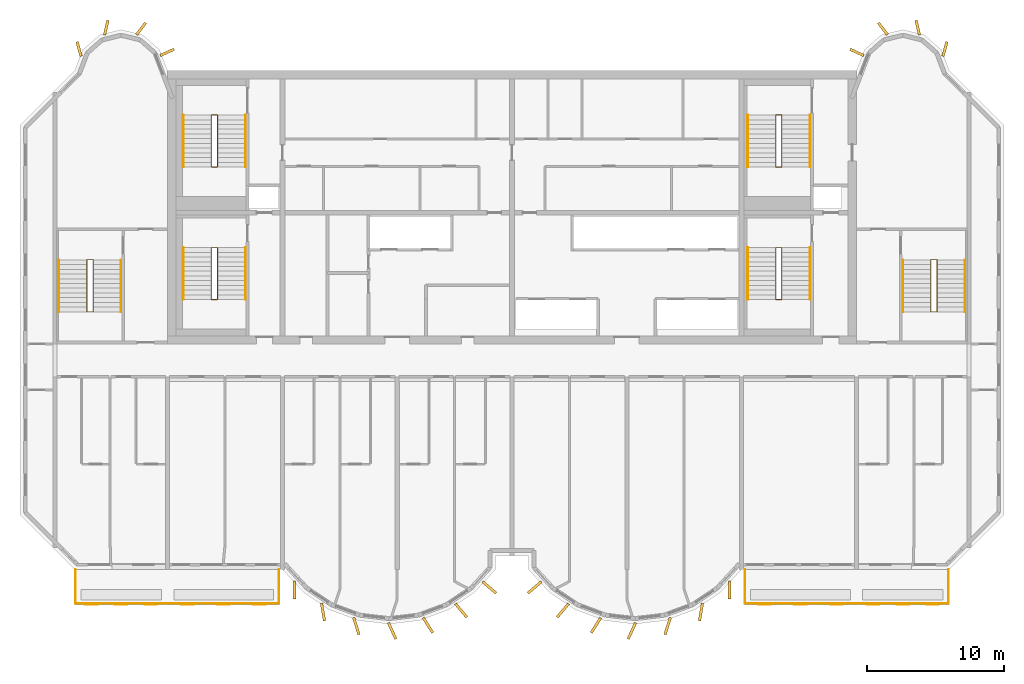
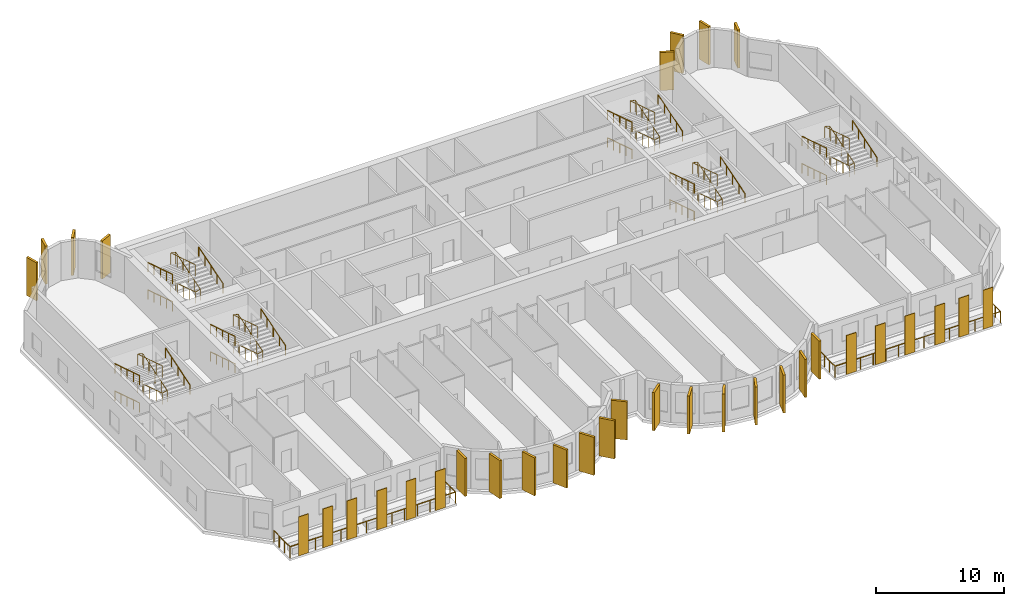
# One storey, part 10 of 11: 34 coverings, 26 railings.
"""IFC4 building model written with IfcOpenShell, lengths in metres."""

from ifc_helpers import new_model, si_unit, direction, frame, origin, origin_2d, place, context, subcontext, project, spatial, rectangle, circle, extrude, source, transform, mapped, material, layer, layer_set, material_profile, profile_set, type_object, element, save


model = new_model("IFC4")

# Units and contexts
model_context = context("Model", 3, precision=1e-05, world=origin(), true_north=direction((0.0, 1.0)))
body_context = subcontext(model_context, "Body", "Model", "MODEL_VIEW")
ifc_project = project(units=[si_unit("LENGTHUNIT", "METRE"), si_unit("AREAUNIT", "SQUARE_METRE"), si_unit("VOLUMEUNIT", "CUBIC_METRE"), si_unit("PLANEANGLEUNIT", "RADIAN"), si_unit("MASSUNIT", "GRAM", prefix="KILO")], contexts=[model_context])

# Site, building, storey
site_placement = place(None, origin())
site = spatial("IfcSite", under=ifc_project, at=site_placement, CompositionType="ELEMENT")
building_placement = place(site_placement, origin())
building = spatial("IfcBuilding", under=site, at=building_placement, Name="Vanashikhar Sky Hotel", CompositionType="ELEMENT")
storey_placement = place(building_placement, frame((0.0, 0.0, 241.300048828125)))
storey = spatial("IfcBuildingStorey", under=building, at=storey_placement, Name="L58", CompositionType="ELEMENT", Elevation=241.300048828125)

# Railings
ifc_material_1 = material(Name="Stainless steel 316", Category="steel")
railing_type_1 = type_object("IfcRailingType", Name="Balcony guard 1100", PredefinedType="GUARDRAIL", material=ifc_material_1)
shared_shape_1 = source(origin(), body_context, "Body", "SweptSolid", [
    extrude(circle(Radius=0.02392578125, at=origin_2d()), frame((0.0, 0.0, 1.076171875), z_axis=(0.0, -1.0, 0.0), x_axis=(1.0, 0.0, 0.0)), (0.0, 0.0, 1.0), 2.5),
    extrude(circle(Radius=0.02392578125, at=origin_2d()), frame((0.0, -2.5, 1.076171875), z_axis=(1.0, 0.0, 0.0), x_axis=(0.0, 1.0, 0.0)), (0.0, 0.0, 1.0), 14.880126953125),
    extrude(circle(Radius=0.02392578125, at=origin_2d()), frame((14.880126953125, -2.5, 1.076171875), z_axis=(0.0, 1.0, 0.0), x_axis=(-1.0, 0.0, 0.0)), (0.0, 0.0, 1.0), 2.5),
    extrude(circle(Radius=0.02099609375, at=origin_2d()), origin(), (0.0, 0.0, 1.0), 1.052001953125),
    extrude(circle(Radius=0.02099609375, at=origin_2d()), frame((0.0, -0.833251953125, 0.0)), (0.0, 0.0, 1.0), 1.052001953125),
    extrude(circle(Radius=0.02099609375, at=origin_2d()), frame((0.0, -1.666748046875, 0.0)), (0.0, 0.0, 1.0), 1.052001953125),
    extrude(circle(Radius=0.02099609375, at=origin_2d()), frame((0.0, -2.5, 0.0)), (0.0, 0.0, 1.0), 1.052001953125),
    extrude(circle(Radius=0.02099609375, at=origin_2d()), frame((1.14453125, -2.5, 0.0)), (0.0, 0.0, 1.0), 1.052001953125),
    extrude(circle(Radius=0.02099609375, at=origin_2d()), frame((2.289306640625, -2.5, 0.0)), (0.0, 0.0, 1.0), 1.052001953125),
    extrude(circle(Radius=0.02099609375, at=origin_2d()), frame((3.433837890625, -2.5, 0.0)), (0.0, 0.0, 1.0), 1.052001953125),
    extrude(circle(Radius=0.02099609375, at=origin_2d()), frame((4.57861328125, -2.5, 0.0)), (0.0, 0.0, 1.0), 1.052001953125),
    extrude(circle(Radius=0.02099609375, at=origin_2d()), frame((5.72314453125, -2.5, 0.0)), (0.0, 0.0, 1.0), 1.052001953125),
    extrude(circle(Radius=0.02099609375, at=origin_2d()), frame((6.86767578125, -2.5, 0.0)), (0.0, 0.0, 1.0), 1.052001953125),
    extrude(circle(Radius=0.02099609375, at=origin_2d()), frame((8.012451171875, -2.5, 0.0)), (0.0, 0.0, 1.0), 1.052001953125),
    extrude(circle(Radius=0.02099609375, at=origin_2d()), frame((9.156982421875, -2.5, 0.0)), (0.0, 0.0, 1.0), 1.052001953125),
    extrude(circle(Radius=0.02099609375, at=origin_2d()), frame((10.301513671875, -2.5, 0.0)), (0.0, 0.0, 1.0), 1.052001953125),
    extrude(circle(Radius=0.02099609375, at=origin_2d()), frame((11.4462890625, -2.5, 0.0)), (0.0, 0.0, 1.0), 1.052001953125),
    extrude(circle(Radius=0.02099609375, at=origin_2d()), frame((12.5908203125, -2.5, 0.0)), (0.0, 0.0, 1.0), 1.052001953125),
    extrude(circle(Radius=0.02099609375, at=origin_2d()), frame((13.735595703125, -2.5, 0.0)), (0.0, 0.0, 1.0), 1.052001953125),
    extrude(circle(Radius=0.02099609375, at=origin_2d()), frame((14.880126953125, -2.5, 0.0)), (0.0, 0.0, 1.0), 1.052001953125),
    extrude(circle(Radius=0.02099609375, at=origin_2d()), frame((14.880126953125, -1.666748046875, 0.0)), (0.0, 0.0, 1.0), 1.052001953125),
    extrude(circle(Radius=0.02099609375, at=origin_2d()), frame((14.880126953125, -0.833251953125, 0.0)), (0.0, 0.0, 1.0), 1.052001953125),
    extrude(circle(Radius=0.02099609375, at=origin_2d()), frame((14.880126953125, 0.0, 0.0)), (0.0, 0.0, 1.0), 1.052001953125),
])
for number, where, name in (
    (1, (18.4599609375, 5.5, -0.050048828125), "Balcony guard"),
    (2, (67.4599609375, 5.5, -0.050048828125), "Balcony guard"),
):
    element("IfcRailing", number, at=place(storey_placement, frame(where)), inside=storey, type_object=railing_type_1, Name=name, PredefinedType="GUARDRAIL", context=body_context, shape_type="MappedRepresentation", body=[
        mapped(shared_shape_1, transform((0.0, 0.0, 0.0), scale=1.0)),
    ])

# Coverings
ifc_material_2 = material(Name="Terracotta", Category="masonry")
ifc_layer = layer(ifc_material_2, 0.06005859375)
ifc_layer_set = layer_set([ifc_layer], Name="Terracotta baguette screen")
covering_type_1 = type_object("IfcCoveringType", Name="Terracotta baguette screen", PredefinedType="CLADDING", material=ifc_layer_set)
shared_shape_2 = source(origin(), body_context, "Body", "SweptSolid", [
    extrude(rectangle(XDim=0.89990234375, YDim=0.06005859375, at=origin_2d()), origin(), (0.0, 0.0, 1.0), 3.699951171875),
])
for number, where, z_axis, x_axis, name in (
    (3, (19.63330078125, 2.929931640625, -0.0498046875), (0.0, 0.0, 1.0), (1.0, 0.0, 0.0), "Terracotta screen"),
    (4, (21.800048828125, 2.929931640625, -0.0498046875), (0.0, 0.0, 1.0), (1.0, 0.0, 0.0), "Terracotta screen"),
    (5, (23.966796875, 2.929931640625, -0.0498046875), (0.0, 0.0, 1.0), (1.0, 0.0, 0.0), "Terracotta screen"),
    (6, (26.666748046875, 2.929931640625, -0.0498046875), (0.0, 0.0, 1.0), (1.0, 0.0, 0.0), "Terracotta screen"),
    (7, (29.300048828125, 2.929931640625, -0.0498046875), (0.0, 0.0, 1.0), (1.0, 0.0, 0.0), "Terracotta screen"),
    (8, (31.933349609375, 2.929931640625, -0.0498046875), (0.0, 0.0, 1.0), (1.0, 0.0, 0.0), "Terracotta screen"),
    (9, (68.86669921875, 2.929931640625, -0.0498046875), (0.0, 0.0, 1.0), (1.0, 0.0, 0.0), "Terracotta screen"),
    (10, (71.5, 2.929931640625, -0.0498046875), (0.0, 0.0, 1.0), (1.0, 0.0, 0.0), "Terracotta screen"),
    (11, (74.13330078125, 2.929931640625, -0.0498046875), (0.0, 0.0, 1.0), (1.0, 0.0, 0.0), "Terracotta screen"),
    (12, (76.833251953125, 2.929931640625, -0.0498046875), (0.0, 0.0, 1.0), (1.0, 0.0, 0.0), "Terracotta screen"),
    (13, (79.0, 2.929931640625, -0.0498046875), (0.0, 0.0, 1.0), (1.0, 0.0, 0.0), "Terracotta screen"),
    (14, (81.166748046875, 2.929931640625, -0.0498046875), (0.0, 0.0, 1.0), (1.0, 0.0, 0.0), "Terracotta screen"),
):
    element("IfcCovering", number, at=place(storey_placement, frame(where, z_axis=z_axis, x_axis=x_axis)), inside=storey, type_object=covering_type_1, Name=name, PredefinedType="CLADDING", context=body_context, shape_type="MappedRepresentation", body=[
        mapped(shared_shape_2, transform((0.0, 0.0, 0.0), scale=1.0)),
    ])
ifc_material_3 = material(Name="Concrete M60 dark", Category="concrete")
ifc_material_profile_1 = material_profile(ifc_material_3, rectangle(XDim=1.300048828125, YDim=0.199951171875, at=origin_2d()))
ifc_profile_set_1 = profile_set([ifc_material_profile_1], Name="Fin 1300 x 200")
covering_type_2 = type_object("IfcCoveringType", Name="Fin 1300 x 200", PredefinedType="CLADDING", material=ifc_profile_set_1)
shared_shape_3 = source(origin(), body_context, "Body", "SweptSolid", [
    extrude(rectangle(XDim=1.300048828125, YDim=0.199951171875, at=origin_2d()), origin(), (0.0, 0.0, 1.0), 3.619873046875),
])
for number, where, z_axis, x_axis, name in (
    (15, (34.482421875, 3.992919921875, 0.0), (0.0, 0.0, 1.0), (0.011588726826, -0.999932848451, 0.0), "Fin F1-1"),
    (16, (36.572509765625, 2.3779296875, 0.0), (0.0, 0.0, 1.0), (0.16989991575, -0.985461322746, 0.0), "Fin F1-2"),
    (17, (39.00830078125, 1.35693359375, 0.0), (0.0, 0.0, 1.0), (0.303966551867, -0.952682704444, 0.0), "Fin F1-3"),
    (18, (41.63232421875, 1.00146484375, 0.0), (0.0, 0.0, 1.0), (0.422618261741, -0.906307787037, 0.0), "Fin F1-4"),
    (19, (44.251953125, 1.416015625, 0.0), (0.0, 0.0, 1.0), (0.534411358496, -0.845224526331, 0.0), "Fin F1-5"),
    (20, (46.676025390625, 2.5, 0.0), (0.0, 0.0, 1.0), (0.645697609467, -0.763593214433, 0.0), "Fin F1-6"),
    (21, (48.7412109375, 4.1845703125, 0.0), (0.0, 0.0, 1.0), (0.758543912032, -0.65162192529, 0.0), "Fin F1-7"),
    (22, (52.058837890625, 4.1845703125, 0.0), (0.0, 0.0, 1.0), (-0.758543912032, -0.65162192529, 0.0), "Fin F2-1"),
    (23, (54.123779296875, 2.5, 0.0), (0.0, 0.0, 1.0), (-0.645697609467, -0.763593214433, 0.0), "Fin F2-2"),
    (24, (56.547119140625, 1.416015625, 0.0), (0.0, 0.0, 1.0), (-0.534411358496, -0.845224526331, 0.0), "Fin F2-3"),
    (25, (59.16748046875, 1.00146484375, 0.0), (0.0, 0.0, 1.0), (-0.422618261741, -0.906307787037, 0.0), "Fin F2-4"),
    (26, (61.790771484375, 1.35693359375, 0.0), (0.0, 0.0, 1.0), (-0.303966551867, -0.952682704444, 0.0), "Fin F2-5"),
    (27, (64.2275390625, 2.3779296875, 0.0), (0.0, 0.0, 1.0), (-0.16989991575, -0.985461322746, 0.0), "Fin F2-6"),
    (28, (66.317626953125, 3.992919921875, 0.0), (0.0, 0.0, 1.0), (-0.011588726826, -0.999932848451, 0.0), "Fin F2-7"),
):
    element("IfcCovering", number, at=place(storey_placement, frame(where, z_axis=z_axis, x_axis=x_axis)), inside=storey, type_object=covering_type_2, Name=name, PredefinedType="CLADDING", context=body_context, shape_type="MappedRepresentation", body=[
        mapped(shared_shape_3, transform((0.0, 0.0, 0.0), scale=1.0)),
    ])
ifc_material_profile_2 = material_profile(ifc_material_3, rectangle(XDim=1.10009765625, YDim=0.199951171875, at=origin_2d()))
ifc_profile_set_2 = profile_set([ifc_material_profile_2], Name="Rear lobe fin 1100 x 200")
covering_type_3 = type_object("IfcCoveringType", Name="Rear lobe fin 1100 x 200", PredefinedType="CLADDING", material=ifc_profile_set_2)
shared_shape_4 = source(origin(), body_context, "Body", "SweptSolid", [
    extrude(rectangle(XDim=1.10009765625, YDim=0.199951171875, at=origin_2d()), origin(), (0.0, 0.0, 1.0), 3.619873046875),
])
for number, where, z_axis, x_axis, name in (
    (29, (18.720703125, 43.580078125, 0.0), (0.0, 0.0, 1.0), (-0.262711264409, 0.964874495234, 0.0), "Fin R1-1"),
    (30, (20.710205078125, 45.1455078125, 0.0), (0.0, 0.0, 1.0), (0.224644935864, 0.974440687159, 0.0), "Fin R1-2"),
    (31, (23.261962890625, 45.06640625, 0.0), (0.0, 0.0, 1.0), (0.602065892195, 0.798446404874, 0.0), "Fin R1-3"),
    (32, (25.169677734375, 43.33447265625, 0.0), (0.0, 0.0, 1.0), (0.908004291068, 0.418960866193, 0.0), "Fin R1-4"),
    (33, (75.63037109375, 43.33447265625, 0.0), (0.0, 0.0, 1.0), (-0.908004291068, 0.418960866193, 0.0), "Fin R2-1"),
    (34, (77.5380859375, 45.06640625, 0.0), (0.0, 0.0, 1.0), (-0.602065892195, 0.798446404874, 0.0), "Fin R2-2"),
    (35, (80.08984375, 45.1455078125, 0.0), (0.0, 0.0, 1.0), (-0.224644935864, 0.974440687159, 0.0), "Fin R2-3"),
    (36, (82.0791015625, 43.580078125, 0.0), (0.0, 0.0, 1.0), (0.262711264409, 0.964874495234, 0.0), "Fin R2-4"),
):
    element("IfcCovering", number, at=place(storey_placement, frame(where, z_axis=z_axis, x_axis=x_axis)), inside=storey, type_object=covering_type_3, Name=name, PredefinedType="CLADDING", context=body_context, shape_type="MappedRepresentation", body=[
        mapped(shared_shape_4, transform((0.0, 0.0, 0.0), scale=1.0)),
    ])

# Railings
ifc_material_4 = material(Name="Steel S355", Category="steel")
railing_type_2 = type_object("IfcRailingType", Name="Stair handrail 900", PredefinedType="HANDRAIL", material=ifc_material_4)
shared_shape_5 = source(origin(), body_context, "Body", "SweptSolid", [
    extrude(circle(Radius=0.02392578125, at=origin_2d()), frame((0.0, 0.0, 0.8759765625), z_axis=(0.0, 0.95418390146, 0.299220791714), x_axis=(-1.0, 0.0, 0.0)), (0.0, 0.0, 1.0), 3.982421875),
    extrude(circle(Radius=0.02099609375, at=origin_2d()), origin(), (0.0, 0.0, 1.0), 0.851806640625),
    extrude(circle(Radius=0.02099609375, at=origin_2d()), frame((0.0, 0.949951171875, 0.2978515625)), (0.0, 0.0, 1.0), 0.851806640625),
    extrude(circle(Radius=0.02099609375, at=origin_2d()), frame((0.0, 1.89990234375, 0.595703125)), (0.0, 0.0, 1.0), 0.851806640625),
    extrude(circle(Radius=0.02099609375, at=origin_2d()), frame((0.0, 2.85009765625, 0.893798828125)), (0.0, 0.0, 1.0), 0.851806640625),
    extrude(circle(Radius=0.02099609375, at=origin_2d()), frame((0.0, 3.800048828125, 1.191650390625)), (0.0, 0.0, 1.0), 0.851806640625),
])
for number, where, name in (
    (37, (30.89990234375, 25.25, 1.408203125), "Exit stair 1 handrail"),
    (38, (72.199951171875, 25.25, 1.408203125), "Exit stair 2 handrail"),
    (39, (30.89990234375, 34.949951171875, 1.408203125), "Exit stair 5 handrail"),
    (40, (72.199951171875, 34.949951171875, 1.408203125), "Exit stair 6 handrail"),
):
    element("IfcRailing", number, at=place(storey_placement, frame(where)), inside=storey, type_object=railing_type_2, Name=name, PredefinedType="HANDRAIL", context=body_context, shape_type="MappedRepresentation", body=[
        mapped(shared_shape_5, transform((0.0, 0.0, 0.0), scale=1.0)),
    ])
shared_shape_6 = source(origin(), body_context, "Body", "SweptSolid", [
    extrude(circle(Radius=0.02392578125, at=origin_2d()), frame((0.0, 0.0, 0.8759765625), z_axis=(0.0, -0.95418390146, 0.299220791714), x_axis=(1.0, 0.0, 0.0)), (0.0, 0.0, 1.0), 3.982421875),
    extrude(circle(Radius=0.02099609375, at=origin_2d()), origin(), (0.0, 0.0, 1.0), 0.851806640625),
    extrude(circle(Radius=0.02099609375, at=origin_2d()), frame((0.0, -0.949951171875, 0.2978515625)), (0.0, 0.0, 1.0), 0.851806640625),
    extrude(circle(Radius=0.02099609375, at=origin_2d()), frame((0.0, -1.89990234375, 0.595703125)), (0.0, 0.0, 1.0), 0.851806640625),
    extrude(circle(Radius=0.02099609375, at=origin_2d()), frame((0.0, -2.85009765625, 0.893798828125)), (0.0, 0.0, 1.0), 0.851806640625),
    extrude(circle(Radius=0.02099609375, at=origin_2d()), frame((0.0, -3.800048828125, 1.191650390625)), (0.0, 0.0, 1.0), 0.851806640625),
])
for number, where, name in (
    (41, (26.35009765625, 29.050048828125, 0.1083984375), "Exit stair 1 handrail"),
    (42, (26.35009765625, 29.050048828125, 2.708251953125), "Exit stair 1 handrail"),
    (43, (67.64990234375, 29.050048828125, 0.1083984375), "Exit stair 2 handrail"),
    (44, (67.64990234375, 29.050048828125, 2.708251953125), "Exit stair 2 handrail"),
    (45, (26.35009765625, 38.75, 0.1083984375), "Exit stair 5 handrail"),
    (46, (26.35009765625, 38.75, 2.708251953125), "Exit stair 5 handrail"),
    (47, (67.64990234375, 38.75, 0.1083984375), "Exit stair 6 handrail"),
    (48, (67.64990234375, 38.75, 2.708251953125), "Exit stair 6 handrail"),
):
    element("IfcRailing", number, at=place(storey_placement, frame(where)), inside=storey, type_object=railing_type_2, Name=name, PredefinedType="HANDRAIL", context=body_context, shape_type="MappedRepresentation", body=[
        mapped(shared_shape_6, transform((0.0, 0.0, 0.0), scale=1.0)),
    ])
railing_type_3 = type_object("IfcRailingType", Name="Stair guard 1100", PredefinedType="GUARDRAIL", material=ifc_material_4)
shared_shape_7 = source(origin(), body_context, "Body", "SweptSolid", [
    extrude(circle(Radius=0.02392578125, at=origin_2d()), frame((0.0, 0.0, 1.076171875), z_axis=(-0.972214749574, 0.0, 0.234090753151), x_axis=(0.0, -1.0, 0.0)), (0.0, 0.0, 1.0), 0.463134765625),
    extrude(circle(Radius=0.02392578125, at=origin_2d()), frame((-0.4501953125, 0.0, 1.1845703125), z_axis=(0.0, -0.95418390146, 0.299220791714), x_axis=(1.0, 0.0, 0.0)), (0.0, 0.0, 1.0), 3.982421875),
    extrude(circle(Radius=0.02392578125, at=origin_2d()), frame((-0.4501953125, -3.800048828125, 2.3759765625), z_axis=(0.972334627364, 0.0, 0.233592320999), x_axis=(0.0, 1.0, 0.0)), (0.0, 0.0, 1.0), 0.462890625),
    extrude(circle(Radius=0.02392578125, at=origin_2d()), frame((0.0, -3.800048828125, 2.484375), z_axis=(0.0, 0.95418390146, 0.299220791714), x_axis=(-1.0, 0.0, 0.0)), (0.0, 0.0, 1.0), 3.982421875),
    extrude(circle(Radius=0.02392578125, at=origin_2d()), frame((0.0, 0.0, 3.67578125), z_axis=(-0.972214749574, 0.0, 0.234090753151), x_axis=(0.0, -1.0, 0.0)), (0.0, 0.0, 1.0), 0.463134765625),
    extrude(circle(Radius=0.02392578125, at=origin_2d()), frame((-0.4501953125, 0.0, 3.7841796875), z_axis=(0.0, -0.95418390146, 0.299220791714), x_axis=(1.0, 0.0, 0.0)), (0.0, 0.0, 1.0), 3.982421875),
    extrude(circle(Radius=0.02099609375, at=origin_2d()), origin(), (0.0, 0.0, 1.0), 1.052001953125),
    extrude(circle(Radius=0.02099609375, at=origin_2d()), frame((-0.4501953125, 0.0, 0.1083984375)), (0.0, 0.0, 1.0), 1.052001953125),
    extrude(circle(Radius=0.02099609375, at=origin_2d()), frame((-0.4501953125, -0.949951171875, 0.40625)), (0.0, 0.0, 1.0), 1.052001953125),
    extrude(circle(Radius=0.02099609375, at=origin_2d()), frame((-0.4501953125, -1.89990234375, 0.7041015625)), (0.0, 0.0, 1.0), 1.052001953125),
    extrude(circle(Radius=0.02099609375, at=origin_2d()), frame((-0.4501953125, -2.85009765625, 1.002197265625)), (0.0, 0.0, 1.0), 1.052001953125),
    extrude(circle(Radius=0.02099609375, at=origin_2d()), frame((-0.4501953125, -3.800048828125, 1.300048828125)), (0.0, 0.0, 1.0), 1.052001953125),
    extrude(circle(Radius=0.02099609375, at=origin_2d()), frame((0.0, -3.800048828125, 1.408203125)), (0.0, 0.0, 1.0), 1.052001953125),
    extrude(circle(Radius=0.02099609375, at=origin_2d()), frame((0.0, -2.85009765625, 1.7060546875)), (0.0, 0.0, 1.0), 1.052001953125),
    extrude(circle(Radius=0.02099609375, at=origin_2d()), frame((0.0, -1.89990234375, 2.00390625)), (0.0, 0.0, 1.0), 1.052001953125),
    extrude(circle(Radius=0.02099609375, at=origin_2d()), frame((0.0, -0.949951171875, 2.302001953125)), (0.0, 0.0, 1.0), 1.052001953125),
    extrude(circle(Radius=0.02099609375, at=origin_2d()), frame((0.0, 0.0, 2.599853515625)), (0.0, 0.0, 1.0), 1.052001953125),
    extrude(circle(Radius=0.02099609375, at=origin_2d()), frame((-0.4501953125, 0.0, 2.708251953125)), (0.0, 0.0, 1.0), 1.052001953125),
    extrude(circle(Radius=0.02099609375, at=origin_2d()), frame((-0.4501953125, -0.949951171875, 3.006103515625)), (0.0, 0.0, 1.0), 1.052001953125),
    extrude(circle(Radius=0.02099609375, at=origin_2d()), frame((-0.4501953125, -1.89990234375, 3.30419921875)), (0.0, 0.0, 1.0), 1.052001953125),
    extrude(circle(Radius=0.02099609375, at=origin_2d()), frame((-0.4501953125, -2.85009765625, 3.60205078125)), (0.0, 0.0, 1.0), 1.052001953125),
    extrude(circle(Radius=0.02099609375, at=origin_2d()), frame((-0.4501953125, -3.800048828125, 3.89990234375)), (0.0, 0.0, 1.0), 1.052001953125),
])
for number, where, name in (
    (49, (28.85009765625, 29.050048828125, 0.0), "Exit stair 1 guard"),
    (50, (28.85009765625, 38.75, 0.0), "Exit stair 5 guard"),
):
    element("IfcRailing", number, at=place(storey_placement, frame(where)), inside=storey, type_object=railing_type_3, Name=name, PredefinedType="GUARDRAIL", context=body_context, shape_type="MappedRepresentation", body=[
        mapped(shared_shape_7, transform((0.0, 0.0, 0.0), scale=1.0)),
    ])
shared_shape_8 = source(origin(), body_context, "Body", "SweptSolid", [
    extrude(circle(Radius=0.02392578125, at=origin_2d()), frame((0.0, 0.0, 1.076171875), z_axis=(-0.972185835864, 0.0, 0.234210803648), x_axis=(0.0, -1.0, 0.0)), (0.0, 0.0, 1.0), 0.462890625),
    extrude(circle(Radius=0.02392578125, at=origin_2d()), frame((-0.449951171875, 0.0, 1.1845703125), z_axis=(0.0, -0.95418390146, 0.299220791714), x_axis=(1.0, 0.0, 0.0)), (0.0, 0.0, 1.0), 3.982421875),
    extrude(circle(Radius=0.02392578125, at=origin_2d()), frame((-0.449951171875, -3.800048828125, 2.3759765625), z_axis=(0.972305833095, 0.0, 0.233712145448), x_axis=(0.0, 1.0, 0.0)), (0.0, 0.0, 1.0), 0.462646484375),
    extrude(circle(Radius=0.02392578125, at=origin_2d()), frame((0.0, -3.800048828125, 2.484375), z_axis=(0.0, 0.95418390146, 0.299220791714), x_axis=(-1.0, 0.0, 0.0)), (0.0, 0.0, 1.0), 3.982421875),
    extrude(circle(Radius=0.02392578125, at=origin_2d()), frame((0.0, 0.0, 3.67578125), z_axis=(-0.972185835864, 0.0, 0.234210803648), x_axis=(0.0, -1.0, 0.0)), (0.0, 0.0, 1.0), 0.462890625),
    extrude(circle(Radius=0.02392578125, at=origin_2d()), frame((-0.449951171875, 0.0, 3.7841796875), z_axis=(0.0, -0.95418390146, 0.299220791714), x_axis=(1.0, 0.0, 0.0)), (0.0, 0.0, 1.0), 3.982421875),
    extrude(circle(Radius=0.02099609375, at=origin_2d()), origin(), (0.0, 0.0, 1.0), 1.052001953125),
    extrude(circle(Radius=0.02099609375, at=origin_2d()), frame((-0.449951171875, 0.0, 0.1083984375)), (0.0, 0.0, 1.0), 1.052001953125),
    extrude(circle(Radius=0.02099609375, at=origin_2d()), frame((-0.449951171875, -0.949951171875, 0.40625)), (0.0, 0.0, 1.0), 1.052001953125),
    extrude(circle(Radius=0.02099609375, at=origin_2d()), frame((-0.449951171875, -1.89990234375, 0.7041015625)), (0.0, 0.0, 1.0), 1.052001953125),
    extrude(circle(Radius=0.02099609375, at=origin_2d()), frame((-0.449951171875, -2.85009765625, 1.002197265625)), (0.0, 0.0, 1.0), 1.052001953125),
    extrude(circle(Radius=0.02099609375, at=origin_2d()), frame((-0.449951171875, -3.800048828125, 1.300048828125)), (0.0, 0.0, 1.0), 1.052001953125),
    extrude(circle(Radius=0.02099609375, at=origin_2d()), frame((0.0, -3.800048828125, 1.408203125)), (0.0, 0.0, 1.0), 1.052001953125),
    extrude(circle(Radius=0.02099609375, at=origin_2d()), frame((0.0, -2.85009765625, 1.7060546875)), (0.0, 0.0, 1.0), 1.052001953125),
    extrude(circle(Radius=0.02099609375, at=origin_2d()), frame((0.0, -1.89990234375, 2.00390625)), (0.0, 0.0, 1.0), 1.052001953125),
    extrude(circle(Radius=0.02099609375, at=origin_2d()), frame((0.0, -0.949951171875, 2.302001953125)), (0.0, 0.0, 1.0), 1.052001953125),
    extrude(circle(Radius=0.02099609375, at=origin_2d()), frame((0.0, 0.0, 2.599853515625)), (0.0, 0.0, 1.0), 1.052001953125),
    extrude(circle(Radius=0.02099609375, at=origin_2d()), frame((-0.449951171875, 0.0, 2.708251953125)), (0.0, 0.0, 1.0), 1.052001953125),
    extrude(circle(Radius=0.02099609375, at=origin_2d()), frame((-0.449951171875, -0.949951171875, 3.006103515625)), (0.0, 0.0, 1.0), 1.052001953125),
    extrude(circle(Radius=0.02099609375, at=origin_2d()), frame((-0.449951171875, -1.89990234375, 3.30419921875)), (0.0, 0.0, 1.0), 1.052001953125),
    extrude(circle(Radius=0.02099609375, at=origin_2d()), frame((-0.449951171875, -2.85009765625, 3.60205078125)), (0.0, 0.0, 1.0), 1.052001953125),
    extrude(circle(Radius=0.02099609375, at=origin_2d()), frame((-0.449951171875, -3.800048828125, 3.89990234375)), (0.0, 0.0, 1.0), 1.052001953125),
])
for number, where, name in (
    (51, (70.14990234375, 29.050048828125, 0.0), "Exit stair 2 guard"),
    (52, (70.14990234375, 38.75, 0.0), "Exit stair 6 guard"),
):
    element("IfcRailing", number, at=place(storey_placement, frame(where)), inside=storey, type_object=railing_type_3, Name=name, PredefinedType="GUARDRAIL", context=body_context, shape_type="MappedRepresentation", body=[
        mapped(shared_shape_8, transform((0.0, 0.0, 0.0), scale=1.0)),
    ])
shared_shape_9 = source(origin(), body_context, "Body", "SweptSolid", [
    extrude(circle(Radius=0.02392578125, at=origin_2d()), frame((0.0, 0.0, 0.8759765625), z_axis=(0.0, 0.954178412317, 0.299238295459), x_axis=(-1.0, 0.0, 0.0)), (0.0, 0.0, 1.0), 3.982177734375),
    extrude(circle(Radius=0.02099609375, at=origin_2d()), origin(), (0.0, 0.0, 1.0), 0.851806640625),
    extrude(circle(Radius=0.02099609375, at=origin_2d()), frame((0.0, 0.949951171875, 0.2978515625)), (0.0, 0.0, 1.0), 0.851806640625),
    extrude(circle(Radius=0.02099609375, at=origin_2d()), frame((0.0, 1.89990234375, 0.595703125)), (0.0, 0.0, 1.0), 0.851806640625),
    extrude(circle(Radius=0.02099609375, at=origin_2d()), frame((0.0, 2.849853515625, 0.893798828125)), (0.0, 0.0, 1.0), 0.851806640625),
    extrude(circle(Radius=0.02099609375, at=origin_2d()), frame((0.0, 3.7998046875, 1.191650390625)), (0.0, 0.0, 1.0), 0.851806640625),
])
for number, where, name in (
    (53, (21.800048828125, 24.35009765625, 1.408203125), "Exit stair 3 handrail"),
    (54, (83.550048828125, 24.35009765625, 1.408203125), "Exit stair 4 handrail"),
):
    element("IfcRailing", number, at=place(storey_placement, frame(where)), inside=storey, type_object=railing_type_2, Name=name, PredefinedType="HANDRAIL", context=body_context, shape_type="MappedRepresentation", body=[
        mapped(shared_shape_9, transform((0.0, 0.0, 0.0), scale=1.0)),
    ])
shared_shape_10 = source(origin(), body_context, "Body", "SweptSolid", [
    extrude(circle(Radius=0.02392578125, at=origin_2d()), frame((0.0, 0.0, 0.8759765625), z_axis=(0.0, -0.954178412317, 0.299238295459), x_axis=(1.0, 0.0, 0.0)), (0.0, 0.0, 1.0), 3.982177734375),
    extrude(circle(Radius=0.02099609375, at=origin_2d()), origin(), (0.0, 0.0, 1.0), 0.851806640625),
    extrude(circle(Radius=0.02099609375, at=origin_2d()), frame((0.0, -0.949951171875, 0.2978515625)), (0.0, 0.0, 1.0), 0.851806640625),
    extrude(circle(Radius=0.02099609375, at=origin_2d()), frame((0.0, -1.89990234375, 0.595703125)), (0.0, 0.0, 1.0), 0.851806640625),
    extrude(circle(Radius=0.02099609375, at=origin_2d()), frame((0.0, -2.849853515625, 0.893798828125)), (0.0, 0.0, 1.0), 0.851806640625),
    extrude(circle(Radius=0.02099609375, at=origin_2d()), frame((0.0, -3.7998046875, 1.191650390625)), (0.0, 0.0, 1.0), 0.851806640625),
])
for number, where, name in (
    (55, (17.25, 28.14990234375, 0.1083984375), "Exit stair 3 handrail"),
    (56, (17.25, 28.14990234375, 2.708251953125), "Exit stair 3 handrail"),
    (57, (79.0, 28.14990234375, 0.1083984375), "Exit stair 4 handrail"),
    (58, (79.0, 28.14990234375, 2.708251953125), "Exit stair 4 handrail"),
):
    element("IfcRailing", number, at=place(storey_placement, frame(where)), inside=storey, type_object=railing_type_2, Name=name, PredefinedType="HANDRAIL", context=body_context, shape_type="MappedRepresentation", body=[
        mapped(shared_shape_10, transform((0.0, 0.0, 0.0), scale=1.0)),
    ])
shared_shape_11 = source(origin(), body_context, "Body", "SweptSolid", [
    extrude(circle(Radius=0.02392578125, at=origin_2d()), frame((0.0, 0.0, 1.076171875), z_axis=(-0.972185835864, 0.0, 0.234210803648), x_axis=(0.0, -1.0, 0.0)), (0.0, 0.0, 1.0), 0.462890625),
    extrude(circle(Radius=0.02392578125, at=origin_2d()), frame((-0.449951171875, 0.0, 1.1845703125), z_axis=(0.0, -0.954178412317, 0.299238295459), x_axis=(1.0, 0.0, 0.0)), (0.0, 0.0, 1.0), 3.982177734375),
    extrude(circle(Radius=0.02392578125, at=origin_2d()), frame((-0.449951171875, -3.7998046875, 2.3759765625), z_axis=(0.972305833095, 0.0, 0.233712145448), x_axis=(0.0, 1.0, 0.0)), (0.0, 0.0, 1.0), 0.462646484375),
    extrude(circle(Radius=0.02392578125, at=origin_2d()), frame((0.0, -3.7998046875, 2.484375), z_axis=(0.0, 0.954178412317, 0.299238295459), x_axis=(-1.0, 0.0, 0.0)), (0.0, 0.0, 1.0), 3.982177734375),
    extrude(circle(Radius=0.02392578125, at=origin_2d()), frame((0.0, 0.0, 3.67578125), z_axis=(-0.972185835864, 0.0, 0.234210803648), x_axis=(0.0, -1.0, 0.0)), (0.0, 0.0, 1.0), 0.462890625),
    extrude(circle(Radius=0.02392578125, at=origin_2d()), frame((-0.449951171875, 0.0, 3.7841796875), z_axis=(0.0, -0.954178412317, 0.299238295459), x_axis=(1.0, 0.0, 0.0)), (0.0, 0.0, 1.0), 3.982177734375),
    extrude(circle(Radius=0.02099609375, at=origin_2d()), origin(), (0.0, 0.0, 1.0), 1.052001953125),
    extrude(circle(Radius=0.02099609375, at=origin_2d()), frame((-0.449951171875, 0.0, 0.1083984375)), (0.0, 0.0, 1.0), 1.052001953125),
    extrude(circle(Radius=0.02099609375, at=origin_2d()), frame((-0.449951171875, -0.949951171875, 0.40625)), (0.0, 0.0, 1.0), 1.052001953125),
    extrude(circle(Radius=0.02099609375, at=origin_2d()), frame((-0.449951171875, -1.89990234375, 0.7041015625)), (0.0, 0.0, 1.0), 1.052001953125),
    extrude(circle(Radius=0.02099609375, at=origin_2d()), frame((-0.449951171875, -2.849853515625, 1.002197265625)), (0.0, 0.0, 1.0), 1.052001953125),
    extrude(circle(Radius=0.02099609375, at=origin_2d()), frame((-0.449951171875, -3.7998046875, 1.300048828125)), (0.0, 0.0, 1.0), 1.052001953125),
    extrude(circle(Radius=0.02099609375, at=origin_2d()), frame((0.0, -3.7998046875, 1.408203125)), (0.0, 0.0, 1.0), 1.052001953125),
    extrude(circle(Radius=0.02099609375, at=origin_2d()), frame((0.0, -2.849853515625, 1.7060546875)), (0.0, 0.0, 1.0), 1.052001953125),
    extrude(circle(Radius=0.02099609375, at=origin_2d()), frame((0.0, -1.89990234375, 2.00390625)), (0.0, 0.0, 1.0), 1.052001953125),
    extrude(circle(Radius=0.02099609375, at=origin_2d()), frame((0.0, -0.949951171875, 2.302001953125)), (0.0, 0.0, 1.0), 1.052001953125),
    extrude(circle(Radius=0.02099609375, at=origin_2d()), frame((0.0, 0.0, 2.599853515625)), (0.0, 0.0, 1.0), 1.052001953125),
    extrude(circle(Radius=0.02099609375, at=origin_2d()), frame((-0.449951171875, 0.0, 2.708251953125)), (0.0, 0.0, 1.0), 1.052001953125),
    extrude(circle(Radius=0.02099609375, at=origin_2d()), frame((-0.449951171875, -0.949951171875, 3.006103515625)), (0.0, 0.0, 1.0), 1.052001953125),
    extrude(circle(Radius=0.02099609375, at=origin_2d()), frame((-0.449951171875, -1.89990234375, 3.30419921875)), (0.0, 0.0, 1.0), 1.052001953125),
    extrude(circle(Radius=0.02099609375, at=origin_2d()), frame((-0.449951171875, -2.849853515625, 3.60205078125)), (0.0, 0.0, 1.0), 1.052001953125),
    extrude(circle(Radius=0.02099609375, at=origin_2d()), frame((-0.449951171875, -3.7998046875, 3.89990234375)), (0.0, 0.0, 1.0), 1.052001953125),
])
for number, where, name in (
    (59, (19.75, 28.14990234375, 0.0), "Exit stair 3 guard"),
    (60, (81.5, 28.14990234375, 0.0), "Exit stair 4 guard"),
):
    element("IfcRailing", number, at=place(storey_placement, frame(where)), inside=storey, type_object=railing_type_3, Name=name, PredefinedType="GUARDRAIL", context=body_context, shape_type="MappedRepresentation", body=[
        mapped(shared_shape_11, transform((0.0, 0.0, 0.0), scale=1.0)),
    ])

save(model, "model.ifc")
